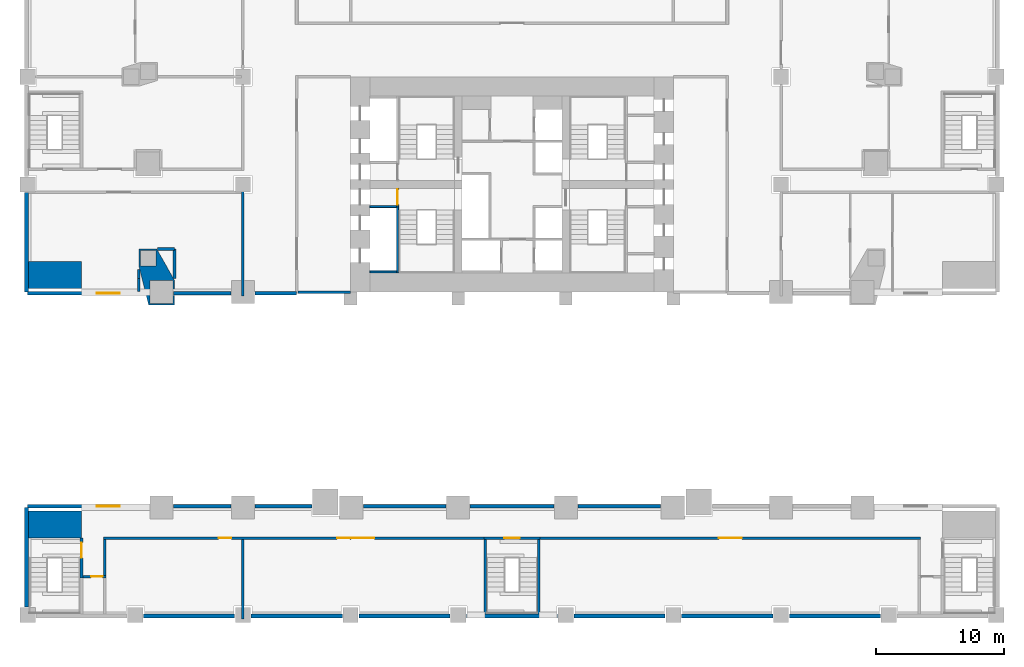
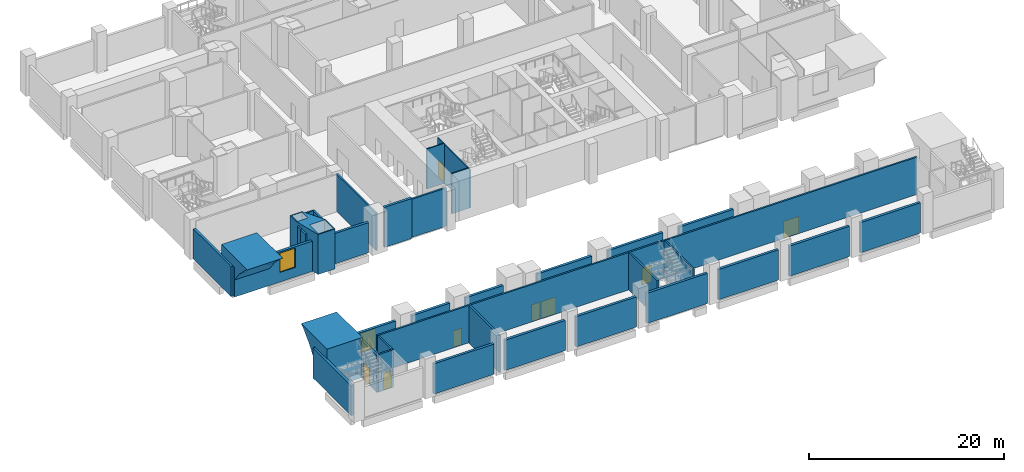
# One storey, part 4 of 16: 39 walls, 8 doors, 2 windows, 10 openings.
"""IFC4 building model written with IfcOpenShell, lengths in metres."""

from ifc_helpers import new_model, si_unit, direction, frame, frame_2d, origin, place, context, subcontext, project, spatial, polyline, rectangle, outline, extrude, material, layer, layer_set, type_object, element, fill, save


model = new_model("IFC4")

# Units and contexts
model_context = context("Model", 3, precision=1e-05, world=origin(), true_north=direction((0.0, 1.0)))
body_context = subcontext(model_context, "Body", "Model", "MODEL_VIEW")
ifc_project = project(units=[si_unit("LENGTHUNIT", "METRE"), si_unit("AREAUNIT", "SQUARE_METRE"), si_unit("VOLUMEUNIT", "CUBIC_METRE"), si_unit("PLANEANGLEUNIT", "RADIAN"), si_unit("MASSUNIT", "GRAM", prefix="KILO")], contexts=[model_context])

# Site, building, storey
site_placement = place(None, origin())
site = spatial("IfcSite", under=ifc_project, at=site_placement, CompositionType="ELEMENT")
building_placement = place(site_placement, origin())
building = spatial("IfcBuilding", under=site, at=building_placement, Name="Marenta Gate Hotel Tower", CompositionType="ELEMENT")
storey_placement = place(building_placement, frame((0.0, 0.0, 21.0)))
storey = spatial("IfcBuildingStorey", under=building, at=storey_placement, Name="L03", CompositionType="ELEMENT", Elevation=21.0)

# Walls
ifc_material_1 = material(Name="Concrete C40 board-marked", Category="concrete")
ifc_layer_1 = layer(ifc_material_1, 0.300048828125)
ifc_layer_set_1 = layer_set([ifc_layer_1], Name="Concrete C40 board-marked")
wall_type_1 = type_object("IfcWallType", Name="Board-marked concrete wall 300 mm", PredefinedType="NOTDEFINED", material=ifc_layer_set_1)
for number, where, z_axis, x_axis, name in (
    (1, (-28.760009765625, -25.2900390625, 0.0), (0.0, 0.0, 1.0), (1.0, 0.0, 0.0), "L03-CLD-SB-S001"),
    (2, (-20.360107421875, -25.2900390625, 0.0), (0.0, 0.0, 1.0), (1.0, 0.0, 0.0), "L03-CLD-SB-S002"),
):
    element("IfcWall", number, at=place(storey_placement, frame(where, z_axis=z_axis, x_axis=x_axis)), inside=storey, type_object=wall_type_1, Name=name, PredefinedType="NOTDEFINED", context=body_context, shape_type="SweptSolid", body=[
        extrude(rectangle(XDim=7.1201171875, YDim=0.300048828125, at=frame_2d((3.56005859375, 0.0))), origin(), (0.0, 0.0, 1.0), 3.780029296875),
    ])
wall_1_placement = place(storey_placement, frame((-11.9599609375, -25.2900390625, 0.0), z_axis=(0.0, 0.0, 1.0), x_axis=(1.0, 0.0, 0.0)))
element("IfcWall", 3, at=wall_1_placement, inside=storey, type_object=wall_type_1, Name="L03-CLD-SB-S003", PredefinedType="NOTDEFINED", context=body_context, shape_type="SweptSolid", body=[
    extrude(rectangle(XDim=7.119873046875, YDim=0.300048828125, at=frame_2d((3.56005859375, 0.0))), origin(), (0.0, 0.0, 1.0), 3.780029296875),
])
wall_2_placement = place(storey_placement, frame((-3.56005859375, -25.2900390625, 0.0), z_axis=(0.0, 0.0, 1.0), x_axis=(1.0, 0.0, 0.0)))
element("IfcWall", 4, at=wall_2_placement, inside=storey, type_object=wall_type_1, Name="L03-CLD-SB-S004", PredefinedType="NOTDEFINED", context=body_context, shape_type="SweptSolid", body=[
    extrude(rectangle(XDim=7.1201171875, YDim=0.300048828125, at=frame_2d((3.56005859375, 0.0))), origin(), (0.0, 0.0, 1.0), 3.780029296875),
])
wall_3_placement = place(storey_placement, frame((4.840087890625, -25.2900390625, 0.0), z_axis=(0.0, 0.0, 1.0), x_axis=(1.0, 0.0, 0.0)))
element("IfcWall", 5, at=wall_3_placement, inside=storey, type_object=wall_type_1, Name="L03-CLD-SB-S005", PredefinedType="NOTDEFINED", context=body_context, shape_type="SweptSolid", body=[
    extrude(rectangle(XDim=7.119873046875, YDim=0.300048828125, at=frame_2d((3.56005859375, 0.0))), origin(), (0.0, 0.0, 1.0), 3.780029296875),
])
for number, where, z_axis, x_axis, name in (
    (6, (13.239990234375, -25.2900390625, 0.0), (0.0, 0.0, 1.0), (1.0, 0.0, 0.0), "L03-CLD-SB-S006"),
    (7, (21.639892578125, -25.2900390625, 0.0), (0.0, 0.0, 1.0), (1.0, 0.0, 0.0), "L03-CLD-SB-S007"),
):
    element("IfcWall", number, at=place(storey_placement, frame(where, z_axis=z_axis, x_axis=x_axis)), inside=storey, type_object=wall_type_1, Name=name, PredefinedType="NOTDEFINED", context=body_context, shape_type="SweptSolid", body=[
        extrude(rectangle(XDim=7.1201171875, YDim=0.300048828125, at=frame_2d((3.56005859375, 0.0))), origin(), (0.0, 0.0, 1.0), 3.780029296875),
    ])
wall_4_placement = place(storey_placement, frame((11.606201171875, -16.7099609375, 0.0), z_axis=(0.0, 0.0, 1.0), x_axis=(-1.0, 0.0, 0.0)))
element("IfcWall", 8, at=wall_4_placement, inside=storey, type_object=wall_type_1, Name="L03-CLD-SB-N003", PredefinedType="NOTDEFINED", context=body_context, shape_type="SweptSolid", body=[
    extrude(rectangle(XDim=6.46630859375, YDim=0.300048828125, at=frame_2d((3.233154296875, 0.0))), origin(), (0.0, 0.0, 1.0), 3.780029296875),
])
wall_5_placement = place(storey_placement, frame((3.260009765625, -16.7099609375, 0.0), z_axis=(0.0, 0.0, 1.0), x_axis=(-1.0, 0.0, 0.0)))
element("IfcWall", 9, at=wall_5_placement, inside=storey, type_object=wall_type_1, Name="L03-CLD-SB-N004", PredefinedType="NOTDEFINED", context=body_context, shape_type="SweptSolid", body=[
    extrude(rectangle(XDim=6.52001953125, YDim=0.300048828125, at=frame_2d((3.260009765625, 0.0))), origin(), (0.0, 0.0, 1.0), 3.780029296875),
])
wall_6_placement = place(storey_placement, frame((-5.139892578125, -16.7099609375, 0.0), z_axis=(0.0, 0.0, 1.0), x_axis=(-1.0, 0.0, 0.0)))
element("IfcWall", 10, at=wall_6_placement, inside=storey, type_object=wall_type_1, Name="L03-CLD-SB-N005", PredefinedType="NOTDEFINED", context=body_context, shape_type="SweptSolid", body=[
    extrude(rectangle(XDim=6.46630859375, YDim=0.300048828125, at=frame_2d((3.233154296875, 0.0))), origin(), (0.0, 0.0, 1.0), 3.780029296875),
])
wall_7_placement = place(storey_placement, frame((-15.606201171875, -16.7099609375, 0.0), z_axis=(0.0, 0.0, 1.0), x_axis=(-1.0, 0.0, 0.0)))
element("IfcWall", 11, at=wall_7_placement, inside=storey, type_object=wall_type_1, Name="L03-CLD-SB-N006", PredefinedType="NOTDEFINED", context=body_context, shape_type="SweptSolid", body=[
    extrude(rectangle(XDim=4.453857421875, YDim=0.300048828125, at=frame_2d((2.22705078125, 0.0))), origin(), (0.0, 0.0, 1.0), 3.780029296875),
])
wall_8_placement = place(storey_placement, frame((-21.93994140625, -16.7099609375, 0.0), z_axis=(0.0, 0.0, 1.0), x_axis=(-1.0, 0.0, 0.0)))
element("IfcWall", 12, at=wall_8_placement, inside=storey, type_object=wall_type_1, Name="L03-CLD-SB-N007", PredefinedType="NOTDEFINED", context=body_context, shape_type="SweptSolid", body=[
    extrude(rectangle(XDim=4.483154296875, YDim=0.300048828125, at=frame_2d((2.24169921875, 0.0))), origin(), (0.0, 0.0, 1.0), 3.780029296875),
])

# Wall, opening, window
wall_9_placement = place(storey_placement, frame((-28.302978515625, -16.7099609375, 0.0), z_axis=(0.0, 0.0, 1.0), x_axis=(-1.0, 0.0, 0.0)))
wall_9 = element("IfcWall", 13, at=wall_9_placement, inside=storey, type_object=wall_type_1, Name="L03-CLD-SB-N008", PredefinedType="NOTDEFINED", context=body_context, shape_type="SweptSolid", body=[
    extrude(rectangle(XDim=9.4970703125, YDim=0.300048828125, at=frame_2d((4.74853515625, 0.0))), origin(), (0.0, 0.0, 1.0), 3.780029296875),
])
opening_1_placement = place(wall_9_placement, frame((2.297119140625, 0.0, 1.199951171875)))
opening_1 = element("IfcOpeningElement", 14, at=opening_1_placement, cuts=wall_9, Name="Opening W5", PredefinedType="OPENING", context=body_context, shape_type="SweptSolid", body=[
    extrude(rectangle(XDim=1.800048828125, YDim=2.39990234375, at=frame_2d((0.89990234375, 1.199951171875))), frame((0.0, 0.14990234375, 0.0), z_axis=(0.0, -1.0, 0.0), x_axis=(1.0, 0.0, 0.0)), (0.0, 0.0, 1.0), 0.300048828125),
])
ifc_material_2 = material(Name="Tinted insulated glass in bronze anodised frame", Category="glass")
window_type = type_object("IfcWindowType", Name="Window W5 1800x2400 bronze frame", PartitioningType="SINGLE_PANEL", PredefinedType="WINDOW", material=ifc_material_2)
window_1_placement = place(opening_1_placement, origin())
window_1 = element("IfcWindow", 15, at=window_1_placement, inside=storey, type_object=window_type, Name="Window W5", OverallHeight=2.39990234375, OverallWidth=1.800048828125, PartitioningType="SINGLE_PANEL", PredefinedType="WINDOW", context=body_context, shape_type="SweptSolid", body=[
    extrude(rectangle(XDim=1.800048828125, YDim=2.39990234375, at=frame_2d((0.89990234375, 1.199951171875))), frame((0.0, 0.030029296875, 0.0), z_axis=(0.0, -1.0, 0.0), x_axis=(1.0, 0.0, 0.0)), (0.0, 0.0, 1.0), 0.06005859375),
])
fill(opening_1, window_1)

# Wall
wall_10_placement = place(storey_placement, frame((-37.889892578125, -16.800048828125, 0.0), z_axis=(0.0, 0.0, 1.0), x_axis=(0.0, -1.0, 0.0)))
element("IfcWall", 16, at=wall_10_placement, inside=storey, type_object=wall_type_1, Name="L03-CLD-SB-W000", PredefinedType="NOTDEFINED", context=body_context, shape_type="SweptSolid", body=[
    extrude(rectangle(XDim=7.760009765625, YDim=0.300048828125, at=frame_2d((3.8798828125, 0.0))), origin(), (0.0, 0.0, 1.0), 3.780029296875),
])

# Wall, opening, window
wall_11_placement = place(storey_placement, frame((-37.800048828125, -0.090087890625, 0.0), z_axis=(0.0, 0.0, 1.0), x_axis=(1.0, 0.0, 0.0)))
wall_11 = element("IfcWall", 17, at=wall_11_placement, inside=storey, type_object=wall_type_1, Name="L03-CLD-NB-S000", PredefinedType="NOTDEFINED", context=body_context, shape_type="SweptSolid", body=[
    extrude(rectangle(XDim=9.4970703125, YDim=0.300048828125, at=frame_2d((4.74853515625, 0.0))), origin(), (0.0, 0.0, 1.0), 3.780029296875),
])
opening_2_placement = place(wall_11_placement, frame((5.39990234375, 0.0, 1.199951171875)))
opening_2 = element("IfcOpeningElement", 18, at=opening_2_placement, cuts=wall_11, Name="Opening W5", PredefinedType="OPENING", context=body_context, shape_type="SweptSolid", body=[
    extrude(rectangle(XDim=1.800048828125, YDim=2.39990234375, at=frame_2d((0.89990234375, 1.199951171875))), frame((0.0, 0.14990234375, 0.0), z_axis=(0.0, -1.0, 0.0), x_axis=(1.0, 0.0, 0.0)), (0.0, 0.0, 1.0), 0.300048828125),
])
window_2_placement = place(opening_2_placement, origin())
window_2 = element("IfcWindow", 19, at=window_2_placement, inside=storey, type_object=window_type, Name="Window W5", OverallHeight=2.39990234375, OverallWidth=1.800048828125, PartitioningType="SINGLE_PANEL", PredefinedType="WINDOW", context=body_context, shape_type="SweptSolid", body=[
    extrude(rectangle(XDim=1.800048828125, YDim=2.39990234375, at=frame_2d((0.89990234375, 1.199951171875))), frame((0.0, 0.030029296875, 0.0), z_axis=(0.0, -1.0, 0.0), x_axis=(1.0, 0.0, 0.0)), (0.0, 0.0, 1.0), 0.06005859375),
])
fill(opening_2, window_2)

# Walls
wall_12_placement = place(storey_placement, frame((-26.423095703125, -0.090087890625, 0.0), z_axis=(0.0, 0.0, 1.0), x_axis=(1.0, 0.0, 0.0)))
element("IfcWall", 20, at=wall_12_placement, inside=storey, type_object=wall_type_1, Name="L03-CLD-NB-S001", PredefinedType="NOTDEFINED", context=body_context, shape_type="SweptSolid", body=[
    extrude(rectangle(XDim=4.483154296875, YDim=0.300048828125, at=frame_2d((2.24169921875, 0.0))), origin(), (0.0, 0.0, 1.0), 3.780029296875),
])
wall_13_placement = place(storey_placement, frame((-20.06005859375, -0.090087890625, 0.0), z_axis=(0.0, 0.0, 1.0), x_axis=(1.0, 0.0, 0.0)))
element("IfcWall", 21, at=wall_13_placement, inside=storey, type_object=wall_type_1, Name="L03-CLD-NB-S002", PredefinedType="NOTDEFINED", context=body_context, shape_type="SweptSolid", body=[
    extrude(rectangle(XDim=3.260009765625, YDim=0.300048828125, at=frame_2d((1.6298828125, 0.0))), origin(), (0.0, 0.0, 1.0), 5.0),
])
wall_14_placement = place(storey_placement, frame((-37.889892578125, 7.760009765625, 0.0), z_axis=(0.0, 0.0, 1.0), x_axis=(0.0, -1.0, 0.0)))
element("IfcWall", 22, at=wall_14_placement, inside=storey, type_object=wall_type_1, Name="L03-CLD-NB-W004", PredefinedType="NOTDEFINED", context=body_context, shape_type="SweptSolid", body=[
    extrude(rectangle(XDim=7.760009765625, YDim=0.300048828125, at=frame_2d((3.8798828125, 0.0))), origin(), (0.0, 0.0, 1.0), 3.780029296875),
])
ifc_material_3 = material(Name="Concrete blockwork", Category="masonry")
ifc_layer_2 = layer(ifc_material_3, 0.199951171875)
ifc_layer_set_2 = layer_set([ifc_layer_2], Name="Concrete blockwork")
wall_type_2 = type_object("IfcWallType", Name="Core boundary wall 200 REI 180", PredefinedType="PARTITIONING", material=ifc_layer_set_2)
wall_15_placement = place(storey_placement, frame((-16.699951171875, 0.0, 0.0), z_axis=(0.0, 0.0, 1.0), x_axis=(1.0, 0.0, 0.0)))
element("IfcWall", 23, at=wall_15_placement, inside=storey, type_object=wall_type_2, Name="L03-CP-EW-WS", PredefinedType="PARTITIONING", context=body_context, shape_type="SweptSolid", body=[
    extrude(rectangle(XDim=4.099853515625, YDim=0.199951171875, at=frame_2d((2.0498046875, 0.0))), origin(), (0.0, 0.0, 1.0), 4.780029296875),
])
ifc_material_4 = material(Name="Concrete C40", Category="concrete")
ifc_layer_3 = layer(ifc_material_4, 0.14990234375)
ifc_layer_set_3 = layer_set([ifc_layer_3], Name="Concrete C40")
wall_type_3 = type_object("IfcWallType", Name="Core shaft wall 150 REI 180", PredefinedType="SHEAR", material=ifc_layer_set_3)
for number, where, z_axis, x_axis, name in (
    (24, (-11.10009765625, 6.675048828125, 0.0), (0.0, 0.0, 1.0), (1.0, 0.0, 0.0), "L03-SHF-SW-WS-2"),
    (25, (-11.10009765625, 1.574951171875, 0.0), (0.0, 0.0, 1.0), (1.0, 0.0, 0.0), "L03-SHF-SW-WS-5"),
):
    element("IfcWall", number, at=place(storey_placement, frame(where, z_axis=z_axis, x_axis=x_axis)), inside=storey, type_object=wall_type_3, Name=name, PredefinedType="SHEAR", context=body_context, shape_type="SweptSolid", body=[
        extrude(rectangle(XDim=2.10009765625, YDim=0.14990234375, at=frame_2d((1.050048828125, 0.0))), origin(), (0.0, 0.0, 1.0), 5.0),
    ])

# Wall, opening, door
ifc_material_5 = material(Name="Concrete C40", Category="concrete")
ifc_layer_4 = layer(ifc_material_5, 0.14990234375)
ifc_layer_set_4 = layer_set([ifc_layer_4], Name="Concrete C40")
wall_type_4 = type_object("IfcWallType", Name="Core stair enclosure wall 150 REI 180", PredefinedType="SHEAR", material=ifc_layer_set_4)
wall_16_placement = place(storey_placement, frame((-8.925048828125, 1.5, 0.0), z_axis=(0.0, 0.0, 1.0), x_axis=(0.0, 1.0, 0.0)))
wall_16 = element("IfcWall", 26, at=wall_16_placement, inside=storey, type_object=wall_type_4, Name="L03-SHF-SW-WS-3", PredefinedType="SHEAR", context=body_context, shape_type="SweptSolid", body=[
    extrude(rectangle(XDim=6.60009765625, YDim=0.14990234375, at=frame_2d((3.300048828125, 0.0))), origin(), (0.0, 0.0, 1.0), 4.780029296875),
])
opening_3_placement = place(wall_16_placement, frame((5.324951171875, 0.0, 0.0)))
opening_3 = element("IfcOpeningElement", 27, at=opening_3_placement, cuts=wall_16, Name="Opening SD-WS", PredefinedType="OPENING", context=body_context, shape_type="SweptSolid", body=[
    extrude(rectangle(XDim=1.199951171875, YDim=2.10009765625, at=frame_2d((0.60009765625, 1.050048828125))), frame((0.0, 0.074951171875, 0.0), z_axis=(0.0, -1.0, 0.0), x_axis=(1.0, 0.0, 0.0)), (0.0, 0.0, 1.0), 0.14990234375),
])
ifc_material_6 = material(Name="Steel", Category="steel")
door_type_1 = type_object("IfcDoorType", Name="Core stair door 1200x2100 FD60", OperationType="SINGLE_SWING_LEFT", PredefinedType="DOOR", material=ifc_material_6)
door_1_placement = place(opening_3_placement, origin())
door_1 = element("IfcDoor", 28, at=door_1_placement, inside=storey, type_object=door_type_1, Name="SD-WS", OperationType="SINGLE_SWING_LEFT", OverallHeight=2.10009765625, OverallWidth=1.199951171875, PredefinedType="DOOR", context=body_context, shape_type="SweptSolid", body=[
    extrude(rectangle(XDim=1.199951171875, YDim=2.10009765625, at=frame_2d((0.60009765625, 1.050048828125))), frame((0.0, 0.02490234375, 0.0), z_axis=(0.0, -1.0, 0.0), x_axis=(1.0, 0.0, 0.0)), (0.0, 0.0, 1.0), 0.050048828125),
])
fill(opening_3, door_1)

# Walls
ifc_material_7 = material(Name="Concrete C80", Category="concrete")
ifc_layer_5 = layer(ifc_material_7, 4.199951171875)
ifc_layer_set_5 = layer_set([ifc_layer_5], Name="Concrete C80")
wall_type_5 = type_object("IfcWallType", Name="Gate spandrel wall 4200 C80", PredefinedType="SOLIDWALL", material=ifc_layer_set_5)
wall_17_placement = place(storey_placement, frame((-37.800048828125, 2.39990234375, 0.0), z_axis=(-1.0, 0.0, 0.0), x_axis=(0.0, -1.0, 0.0)))
element("IfcWall", 29, at=wall_17_placement, inside=storey, type_object=wall_type_5, Name="PW2 L03-PWL-WG3", PredefinedType="SOLIDWALL", context=body_context, shape_type="SweptSolid", body=[
    extrude(outline(polyline([(0.0, 0.0), (1.494873046875, 0.0), (2.39990234375, 1.799560546875), (3.599853515625, 3.43505859375), (4.7998046875, 4.640625), (5.278564453125, 5.0), (0.0, 5.0), (0.0, 0.0)])), origin(), (0.0, 0.0, -1.0), 4.199951171875),
])
wall_18_placement = place(storey_placement, frame((-37.800048828125, -14.39990234375, 4.640625), z_axis=(-1.0, 0.0, 0.0), x_axis=(0.0, -0.705526339146, -0.708683698678)))
element("IfcWall", 30, at=wall_18_placement, inside=storey, type_object=wall_type_5, Name="PW2 L03-PWL-WG4", PredefinedType="SOLIDWALL", context=body_context, shape_type="SweptSolid", body=[
    extrude(outline(polyline([(0.0, 0.0), (1.7011346648709247, -1.1102230246251565e-16), (3.70678262735726, -0.30350111497412535), (5.62062385835525, -0.9317589701603555), (6.675296166604346, 0.12763318975299454), (3.1318776732146003, 3.6552648854808174), (-0.5922885813425898, -0.08556769486975319), (0.0, 0.0)])), origin(), (0.0, 0.0, -1.0), 4.199951171875),
])
ifc_material_8 = material(Name="Concrete C70", Category="concrete")
ifc_layer_6 = layer(ifc_material_8, 1.60009765625)
ifc_layer_set_6 = layer_set([ifc_layer_6], Name="Concrete C70")
wall_type_6 = type_object("IfcWallType", Name="Pier wall board-marked concrete C70", PredefinedType="SOLIDWALL", material=ifc_layer_set_6)
wall_19_placement = place(storey_placement, origin())
element("IfcWall", 31, at=wall_19_placement, inside=storey, type_object=wall_type_6, Name="L03-PIER-1", PredefinedType="SOLIDWALL", context=body_context, shape_type="SweptSolid", body=[
    extrude(outline(polyline([(-29.1201171875, 2.034423828125), (-29.1201171875, 3.369140625), (-27.730224609375, 3.369140625), (-26.343017578125, 0.931640625), (-26.343017578125, -1.02001953125), (-28.356689453125, -1.02001953125), (-29.1201171875, 2.034423828125)]), holes=[polyline([(-28.262939453125, -0.89990234375), (-26.462890625, -0.89990234375), (-26.462890625, 0.89990234375), (-28.262939453125, 0.89990234375), (-28.262939453125, -0.89990234375)]), polyline([(-29.0, 2.049072265625), (-27.800048828125, 2.049072265625), (-27.800048828125, 3.2490234375), (-29.0, 3.2490234375), (-29.0, 2.049072265625)])]), origin(), (0.0, 0.0, 1.0), 5.0),
])

# Wall, opening, door
ifc_material_9 = material(Name="Concrete blockwork", Category="masonry")
ifc_layer_7 = layer(ifc_material_9, 0.199951171875)
ifc_layer_set_7 = layer_set([ifc_layer_7], Name="Concrete blockwork")
wall_type_7 = type_object("IfcWallType", Name="Room corridor wall 200 EI 120", PredefinedType="PARTITIONING", material=ifc_layer_set_7)
wall_20_placement = place(storey_placement, frame((2.199951171875, -19.199951171875, 0.0), z_axis=(0.0, 0.0, 1.0), x_axis=(1.0, 0.0, 0.0)))
wall_20 = element("IfcWall", 32, at=wall_20_placement, inside=storey, type_object=wall_type_7, Name="L03-PTN-W022", PredefinedType="PARTITIONING", context=body_context, shape_type="SweptSolid", body=[
    extrude(rectangle(XDim=29.699951171875, YDim=0.199951171875, at=frame_2d((14.85009765625, 0.0))), origin(), (0.0, 0.0, 1.0), 4.679931640625),
])
opening_4_placement = place(wall_20_placement, frame((13.949951171875, 0.0, 0.0)))
opening_4 = element("IfcOpeningElement", 33, at=opening_4_placement, cuts=wall_20, Name="Opening S04-27", PredefinedType="OPENING", context=body_context, shape_type="SweptSolid", body=[
    extrude(rectangle(XDim=1.800048828125, YDim=2.10009765625, at=frame_2d((0.89990234375, 1.050048828125))), frame((0.0, 0.10009765625, 0.0), z_axis=(0.0, -1.0, 0.0), x_axis=(1.0, 0.0, 0.0)), (0.0, 0.0, 1.0), 0.199951171875),
])
ifc_material_10 = material(Name="Timber door leaf", Category="wood")
door_type_2 = type_object("IfcDoorType", Name="Room amenity door 1800x2100 EI 60", OperationType="DOUBLE_DOOR_SINGLE_SWING", PredefinedType="DOOR", material=ifc_material_10)
door_2_placement = place(opening_4_placement, origin())
door_2 = element("IfcDoor", 34, at=door_2_placement, inside=storey, type_object=door_type_2, Name="L03-PD-D027", OperationType="DOUBLE_DOOR_SINGLE_SWING", OverallHeight=2.10009765625, OverallWidth=1.800048828125, PredefinedType="DOOR", context=body_context, shape_type="SweptSolid", body=[
    extrude(rectangle(XDim=1.800048828125, YDim=2.10009765625, at=frame_2d((0.89990234375, 1.050048828125))), frame((0.0, 0.02490234375, 0.0), z_axis=(0.0, -1.0, 0.0), x_axis=(1.0, 0.0, 0.0)), (0.0, 0.0, 1.0), 0.050048828125),
])
fill(opening_4, door_2)

# Wall, openings, doors
ifc_material_11 = material(Name="Gypsum board on steel stud", Category="steel")
ifc_layer_8 = layer(ifc_material_11, 0.199951171875)
ifc_layer_set_8 = layer_set([ifc_layer_8], Name="Gypsum board on steel stud")
wall_type_8 = type_object("IfcWallType", Name="Room corridor wall 200 EI 60", PredefinedType="PARTITIONING", material=ifc_layer_set_8)
wall_21_placement = place(storey_placement, frame((-31.89990234375, -19.199951171875, 0.0), z_axis=(0.0, 0.0, 1.0), x_axis=(1.0, 0.0, 0.0)))
wall_21 = element("IfcWall", 35, at=wall_21_placement, inside=storey, type_object=wall_type_8, Name="L03-PTN-W021", PredefinedType="PARTITIONING", context=body_context, shape_type="SweptSolid", body=[
    extrude(rectangle(XDim=29.699951171875, YDim=0.199951171875, at=frame_2d((14.85009765625, 0.0))), origin(), (0.0, 0.0, 1.0), 4.679931640625),
])
opening_5_placement = place(wall_21_placement, frame((9.0, 0.0, 0.0)))
opening_5 = element("IfcOpeningElement", 36, at=opening_5_placement, cuts=wall_21, Name="Opening S04-24", PredefinedType="OPENING", context=body_context, shape_type="SweptSolid", body=[
    extrude(rectangle(XDim=1.0, YDim=2.10009765625, at=frame_2d((0.5, 1.050048828125))), frame((0.0, 0.10009765625, 0.0), z_axis=(0.0, -1.0, 0.0), x_axis=(1.0, 0.0, 0.0)), (0.0, 0.0, 1.0), 0.199951171875),
])
opening_6_placement = place(wall_21_placement, frame((19.35009765625, 0.0, 0.0)))
opening_6 = element("IfcOpeningElement", 37, at=opening_6_placement, cuts=wall_21, Name="Opening S04-25", PredefinedType="OPENING", context=body_context, shape_type="SweptSolid", body=[
    extrude(rectangle(XDim=1.800048828125, YDim=2.10009765625, at=frame_2d((0.89990234375, 1.050048828125))), frame((0.0, 0.10009765625, 0.0), z_axis=(0.0, -1.0, 0.0), x_axis=(1.0, 0.0, 0.0)), (0.0, 0.0, 1.0), 0.199951171875),
])
opening_7_placement = place(wall_21_placement, frame((18.25, 0.0, 0.0)))
opening_7 = element("IfcOpeningElement", 38, at=opening_7_placement, cuts=wall_21, Name="Opening S04-26", PredefinedType="OPENING", context=body_context, shape_type="SweptSolid", body=[
    extrude(rectangle(XDim=1.0, YDim=2.10009765625, at=frame_2d((0.5, 1.050048828125))), frame((0.0, 0.10009765625, 0.0), z_axis=(0.0, -1.0, 0.0), x_axis=(1.0, 0.0, 0.0)), (0.0, 0.0, 1.0), 0.199951171875),
])
ifc_material_12 = material(Name="Timber door leaf", Category="wood")
door_type_3 = type_object("IfcDoorType", Name="Room amenity door 1000x2100 EI 30", OperationType="NOTDEFINED", PredefinedType="DOOR", material=ifc_material_12)
door_3_placement = place(opening_5_placement, origin())
door_3 = element("IfcDoor", 39, at=door_3_placement, inside=storey, type_object=door_type_3, Name="L03-PD-D024", OperationType="SINGLE_SWING_RIGHT", OverallHeight=2.10009765625, OverallWidth=1.0, PredefinedType="DOOR", context=body_context, shape_type="SweptSolid", body=[
    extrude(rectangle(XDim=1.0, YDim=2.10009765625, at=frame_2d((0.5, 1.050048828125))), frame((0.0, 0.02490234375, 0.0), z_axis=(0.0, -1.0, 0.0), x_axis=(1.0, 0.0, 0.0)), (0.0, 0.0, 1.0), 0.050048828125),
])
fill(opening_5, door_3)
door_4_placement = place(opening_7_placement, origin())
door_4 = element("IfcDoor", 40, at=door_4_placement, inside=storey, type_object=door_type_3, Name="L03-PD-D026", OperationType="SINGLE_SWING_LEFT", OverallHeight=2.10009765625, OverallWidth=1.0, PredefinedType="DOOR", context=body_context, shape_type="SweptSolid", body=[
    extrude(rectangle(XDim=1.0, YDim=2.10009765625, at=frame_2d((0.5, 1.050048828125))), frame((0.0, 0.02490234375, 0.0), z_axis=(0.0, -1.0, 0.0), x_axis=(1.0, 0.0, 0.0)), (0.0, 0.0, 1.0), 0.050048828125),
])
fill(opening_7, door_4)
ifc_material_13 = material(Name="Timber door leaf", Category="wood")
door_type_4 = type_object("IfcDoorType", Name="Room amenity door 1800x2100 EI 30", OperationType="DOUBLE_DOOR_SINGLE_SWING", PredefinedType="DOOR", material=ifc_material_13)
door_5_placement = place(opening_6_placement, origin())
door_5 = element("IfcDoor", 41, at=door_5_placement, inside=storey, type_object=door_type_4, Name="L03-PD-D025", OperationType="DOUBLE_DOOR_SINGLE_SWING", OverallHeight=2.10009765625, OverallWidth=1.800048828125, PredefinedType="DOOR", context=body_context, shape_type="SweptSolid", body=[
    extrude(rectangle(XDim=1.800048828125, YDim=2.10009765625, at=frame_2d((0.89990234375, 1.050048828125))), frame((0.0, 0.02490234375, 0.0), z_axis=(0.0, -1.0, 0.0), x_axis=(1.0, 0.0, 0.0)), (0.0, 0.0, 1.0), 0.050048828125),
])
fill(opening_6, door_5)

# Wall
wall_22_placement = place(storey_placement, frame((-21.0, -0.300048828125, 0.0), z_axis=(0.0, 0.0, 1.0), x_axis=(0.0, 1.0, 0.0)))
element("IfcWall", 42, at=wall_22_placement, inside=storey, type_object=wall_type_8, Name="L03-PTN-W054", PredefinedType="PARTITIONING", context=body_context, shape_type="SweptSolid", body=[
    extrude(rectangle(XDim=8.199951171875, YDim=0.199951171875, at=frame_2d((4.10009765625, 0.0))), origin(), (0.0, 0.0, 1.0), 4.679931640625),
])

# Wall, opening, door
ifc_material_14 = material(Name="Concrete blockwork", Category="masonry")
ifc_layer_9 = layer(ifc_material_14, 0.199951171875)
ifc_layer_set_9 = layer_set([ifc_layer_9], Name="Concrete blockwork")
wall_type_9 = type_object("IfcWallType", Name="Room corridor wall 200 REI 180", PredefinedType="PARTITIONING", material=ifc_layer_set_9)
wall_23_placement = place(storey_placement, frame((-33.5, -22.199951171875, 0.0), z_axis=(0.0, 0.0, 1.0), x_axis=(1.0, 0.0, 0.0)))
wall_23 = element("IfcWall", 43, at=wall_23_placement, inside=storey, type_object=wall_type_9, Name="L03-PTN-W015", PredefinedType="PARTITIONING", context=body_context, shape_type="SweptSolid", body=[
    extrude(rectangle(XDim=1.800048828125, YDim=0.199951171875, at=frame_2d((0.89990234375, 0.0))), origin(), (0.0, 0.0, 1.0), 4.679931640625),
])
opening_8_placement = place(wall_23_placement, frame((0.64990234375, 0.0, 0.0)))
opening_8 = element("IfcOpeningElement", 44, at=opening_8_placement, cuts=wall_23, Name="Opening S04-21", PredefinedType="OPENING", context=body_context, shape_type="SweptSolid", body=[
    extrude(rectangle(XDim=0.89990234375, YDim=2.10009765625, at=frame_2d((0.449951171875, 1.050048828125))), frame((0.0, 0.10009765625, 0.0), z_axis=(0.0, -1.0, 0.0), x_axis=(1.0, 0.0, 0.0)), (0.0, 0.0, 1.0), 0.199951171875),
])
ifc_material_15 = material(Name="Hollow steel door set", Category="steel")
door_type_5 = type_object("IfcDoorType", Name="Room service door 900x2100 EI 60", OperationType="NOTDEFINED", PredefinedType="DOOR", material=ifc_material_15)
door_6_placement = place(opening_8_placement, origin())
door_6 = element("IfcDoor", 45, at=door_6_placement, inside=storey, type_object=door_type_5, Name="L03-PD-D021", OperationType="SINGLE_SWING_LEFT", OverallHeight=2.10009765625, OverallWidth=0.89990234375, PredefinedType="DOOR", context=body_context, shape_type="SweptSolid", body=[
    extrude(rectangle(XDim=0.89990234375, YDim=2.10009765625, at=frame_2d((0.449951171875, 1.050048828125))), frame((0.0, 0.02490234375, 0.0), z_axis=(0.0, -1.0, 0.0), x_axis=(1.0, 0.0, 0.0)), (0.0, 0.0, 1.0), 0.050048828125),
])
fill(opening_8, door_6)

wall_24_placement = place(storey_placement, frame((-2.199951171875, -19.199951171875, 0.0), z_axis=(0.0, 0.0, 1.0), x_axis=(1.0, 0.0, 0.0)))
wall_24 = element("IfcWall", 46, at=wall_24_placement, inside=storey, type_object=wall_type_9, Name="L03-PTN-W023", PredefinedType="PARTITIONING", context=body_context, shape_type="SweptSolid", body=[
    extrude(rectangle(XDim=4.39990234375, YDim=0.199951171875, at=frame_2d((2.199951171875, 0.0))), origin(), (0.0, 0.0, 1.0), 4.679931640625),
])
opening_9_placement = place(wall_24_placement, frame((1.60009765625, 0.0, 0.0)))
opening_9 = element("IfcOpeningElement", 47, at=opening_9_placement, cuts=wall_24, Name="Opening S04-28", PredefinedType="OPENING", context=body_context, shape_type="SweptSolid", body=[
    extrude(rectangle(XDim=1.199951171875, YDim=2.10009765625, at=frame_2d((0.60009765625, 1.050048828125))), frame((0.0, 0.10009765625, 0.0), z_axis=(0.0, -1.0, 0.0), x_axis=(1.0, 0.0, 0.0)), (0.0, 0.0, 1.0), 0.199951171875),
])
ifc_material_16 = material(Name="Hollow steel door set", Category="steel")
door_type_6 = type_object("IfcDoorType", Name="Podium stair door 1200x2100 EI 60", OperationType="NOTDEFINED", PredefinedType="DOOR", material=ifc_material_16)
door_7_placement = place(opening_9_placement, origin())
door_7 = element("IfcDoor", 48, at=door_7_placement, inside=storey, type_object=door_type_6, Name="L03-PD-D028", OperationType="SINGLE_SWING_RIGHT", OverallHeight=2.10009765625, OverallWidth=1.199951171875, PredefinedType="DOOR", context=body_context, shape_type="SweptSolid", body=[
    extrude(rectangle(XDim=1.199951171875, YDim=2.10009765625, at=frame_2d((0.60009765625, 1.050048828125))), frame((0.0, 0.02490234375, 0.0), z_axis=(0.0, -1.0, 0.0), x_axis=(1.0, 0.0, 0.0)), (0.0, 0.0, 1.0), 0.050048828125),
])
fill(opening_9, door_7)

# Wall
wall_25_placement = place(storey_placement, frame((-31.800048828125, -22.10009765625, 0.0), z_axis=(0.0, 0.0, 1.0), x_axis=(0.0, 1.0, 0.0)))
element("IfcWall", 49, at=wall_25_placement, inside=storey, type_object=wall_type_9, Name="L03-PTN-W075", PredefinedType="PARTITIONING", context=body_context, shape_type="SweptSolid", body=[
    extrude(rectangle(XDim=2.800048828125, YDim=0.199951171875, at=frame_2d((1.39990234375, 0.0))), origin(), (0.0, 0.0, 1.0), 4.679931640625),
])

# Wall, opening, door
wall_26_placement = place(storey_placement, frame((-33.60009765625, -22.300048828125, 0.0), z_axis=(0.0, 0.0, 1.0), x_axis=(0.0, 1.0, 0.0)))
wall_26 = element("IfcWall", 50, at=wall_26_placement, inside=storey, type_object=wall_type_9, Name="L03-PTN-W078", PredefinedType="PARTITIONING", context=body_context, shape_type="SweptSolid", body=[
    extrude(rectangle(XDim=3.10009765625, YDim=0.199951171875, at=frame_2d((1.550048828125, 0.0))), origin(), (0.0, 0.0, 1.0), 4.679931640625),
])
opening_10_placement = place(wall_26_placement, frame((1.550048828125, 0.0, 0.0)))
opening_10 = element("IfcOpeningElement", 51, at=opening_10_placement, cuts=wall_26, Name="Opening S04-20", PredefinedType="OPENING", context=body_context, shape_type="SweptSolid", body=[
    extrude(rectangle(XDim=1.199951171875, YDim=2.10009765625, at=frame_2d((0.60009765625, 1.050048828125))), frame((0.0, 0.10009765625, 0.0), z_axis=(0.0, -1.0, 0.0), x_axis=(1.0, 0.0, 0.0)), (0.0, 0.0, 1.0), 0.199951171875),
])
door_8_placement = place(opening_10_placement, origin())
door_8 = element("IfcDoor", 52, at=door_8_placement, inside=storey, type_object=door_type_6, Name="L03-PD-D020", OperationType="SINGLE_SWING_RIGHT", OverallHeight=2.10009765625, OverallWidth=1.199951171875, PredefinedType="DOOR", context=body_context, shape_type="SweptSolid", body=[
    extrude(rectangle(XDim=1.199951171875, YDim=2.10009765625, at=frame_2d((0.60009765625, 1.050048828125))), frame((0.0, 0.02490234375, 0.0), z_axis=(0.0, -1.0, 0.0), x_axis=(1.0, 0.0, 0.0)), (0.0, 0.0, 1.0), 0.050048828125),
])
fill(opening_10, door_8)

# Walls
ifc_material_17 = material(Name="Gypsum board on steel stud", Category="steel")
ifc_layer_10 = layer(ifc_material_17, 0.199951171875)
ifc_layer_set_10 = layer_set([ifc_layer_10], Name="Gypsum board on steel stud")
wall_type_10 = type_object("IfcWallType", Name="Room party wall 200 EI 60", PredefinedType="PARTITIONING", material=ifc_layer_set_10)
wall_27_placement = place(storey_placement, frame((-27.652099609375, 3.368896484375, 0.0), z_axis=(0.0, 0.0, 1.0), x_axis=(1.0, 0.0, 0.0)))
element("IfcWall", 53, at=wall_27_placement, inside=storey, type_object=wall_type_10, Name="L03-PTN-W033", PredefinedType="PARTITIONING", context=body_context, shape_type="SweptSolid", body=[
    extrude(rectangle(XDim=1.31103515625, YDim=0.199951171875, at=frame_2d((0.655517578125, 0.0))), origin(), (0.0, 0.0, 1.0), 4.679931640625),
])
wall_28_placement = place(storey_placement, frame((-21.0, -25.5, 0.0), z_axis=(0.0, 0.0, 1.0), x_axis=(0.0, 1.0, 0.0)))
element("IfcWall", 54, at=wall_28_placement, inside=storey, type_object=wall_type_10, Name="L03-PTN-W053", PredefinedType="PARTITIONING", context=body_context, shape_type="SweptSolid", body=[
    extrude(rectangle(XDim=6.199951171875, YDim=0.199951171875, at=frame_2d((3.10009765625, 0.0))), origin(), (0.0, 0.0, 1.0), 4.679931640625),
])
wall_29_placement = place(storey_placement, frame((-26.343017578125, 1.071044921875, 0.0), z_axis=(0.0, 0.0, 1.0), x_axis=(0.0, 1.0, 0.0)))
element("IfcWall", 55, at=wall_29_placement, inside=storey, type_object=wall_type_10, Name="L03-PTN-W065", PredefinedType="PARTITIONING", context=body_context, shape_type="SweptSolid", body=[
    extrude(rectangle(XDim=2.300048828125, YDim=0.199951171875, at=frame_2d((1.14990234375, 0.0))), origin(), (0.0, 0.0, 1.0), 4.679931640625),
])
wall_30_placement = place(storey_placement, frame((-29.1201171875, 1.069091796875, 0.0), z_axis=(0.0, 0.0, 1.0), x_axis=(0.0, 1.0, 0.0)))
element("IfcWall", 56, at=wall_30_placement, inside=storey, type_object=wall_type_10, Name="L03-PTN-W067", PredefinedType="PARTITIONING", context=body_context, shape_type="SweptSolid", body=[
    extrude(rectangle(XDim=0.678955078125, YDim=0.199951171875, at=frame_2d((0.33935546875, 0.0))), origin(), (0.0, 0.0, 1.0), 4.679931640625),
])
wall_31_placement = place(storey_placement, frame((-29.14599609375, 0.06005859375, 0.0), z_axis=(0.0, 0.0, 1.0), x_axis=(0.0, 1.0, 0.0)))
element("IfcWall", 57, at=wall_31_placement, inside=storey, type_object=wall_type_10, Name="L03-PTN-W068", PredefinedType="PARTITIONING", context=body_context, shape_type="SweptSolid", body=[
    extrude(rectangle(XDim=1.012939453125, YDim=0.199951171875, at=frame_2d((0.50634765625, 0.0))), origin(), (0.0, 0.0, 1.0), 4.679931640625),
])
ifc_material_18 = material(Name="Concrete blockwork", Category="masonry")
ifc_layer_11 = layer(ifc_material_18, 0.199951171875)
ifc_layer_set_11 = layer_set([ifc_layer_11], Name="Concrete blockwork")
wall_type_11 = type_object("IfcWallType", Name="Room party wall 200 REI 180", PredefinedType="PARTITIONING", material=ifc_layer_set_11)
for number, where, z_axis, x_axis, name in (
    (58, (2.10009765625, -25.139892578125, 0.0), (0.0, 0.0, 1.0), (0.0, 1.0, 0.0), "L03-PTN-W028"),
    (59, (-2.10009765625, -25.139892578125, 0.0), (0.0, 0.0, 1.0), (0.0, 1.0, 0.0), "L03-PTN-W031"),
):
    element("IfcWall", number, at=place(storey_placement, frame(where, z_axis=z_axis, x_axis=x_axis)), inside=storey, type_object=wall_type_11, Name=name, PredefinedType="PARTITIONING", context=body_context, shape_type="SweptSolid", body=[
        extrude(rectangle(XDim=5.83984375, YDim=0.199951171875, at=frame_2d((2.919921875, 0.0))), origin(), (0.0, 0.0, 1.0), 4.679931640625),
    ])

save(model, "model.ifc")
